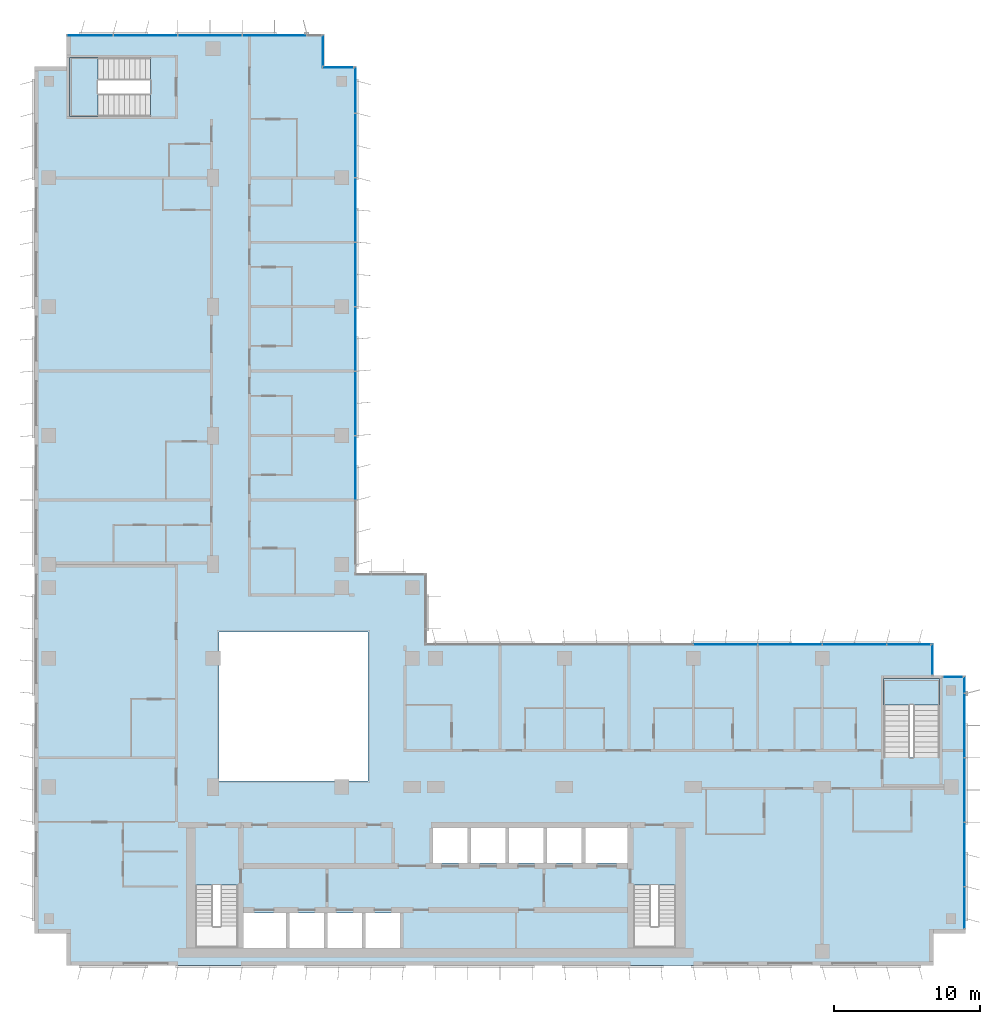
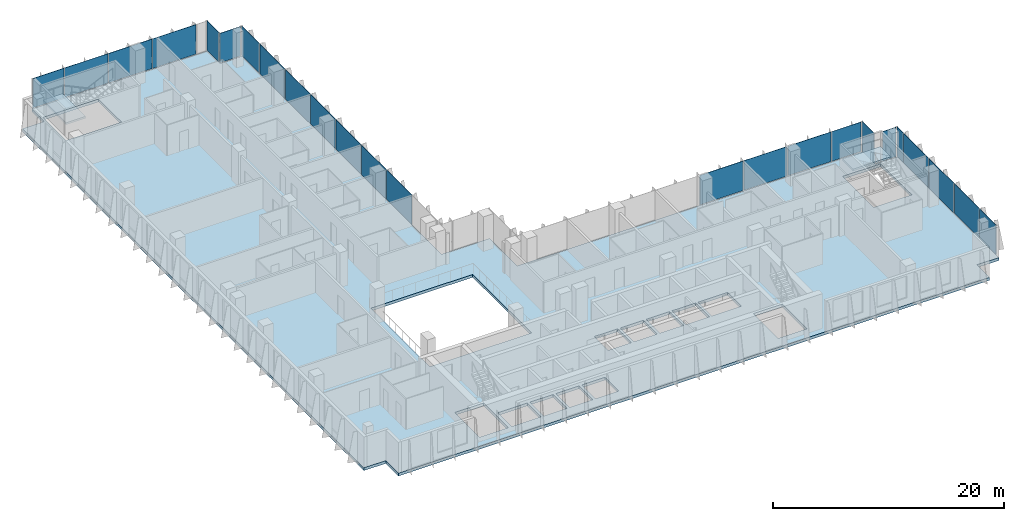
# One storey, part 11 of 21: 24 plates, 3 slabs, 10 elements without a shape of their own.
"""IFC4 building model written with IfcOpenShell, lengths in metres."""

import ifcopenshell
import ifcopenshell.guid

model = None  # the IFC model being written
_history = None  # IfcOwnerHistory: only IFC2X3 demands one
_inside = {}  # id of a spatial element -> (the spatial element, [elements in it])
_under = {}  # id of a project, library or spatial element -> (it, [spatial elements below it])
_declared = {}  # id of a project -> (the project, [libraries it declares])
_typed = {}  # id of a type object -> (the type object, [elements of that type])
_made_of = {}  # id of a material, layer set ... -> (it, [elements and type objects made of it])


def new_model(schema):
    """Start an empty IFC model of exactly this schema.

    Asked for "IFC4X3", IfcOpenShell would pick the latest addendum, in which some entities
    have other attributes; the version numbers below select the first issue.
    IFC2X3 requires an IfcOwnerHistory on every rooted entity: one is made here for all.
    """
    global model, _history
    if schema == "IFC4X3":
        model = ifcopenshell.file(schema_version=(4, 3, 0, 0))
    else:
        model = ifcopenshell.file(schema=schema)
    _inside.clear()
    _under.clear()
    _declared.clear()
    _typed.clear()
    _made_of.clear()
    _history = None
    if model.schema == "IFC2X3":
        org = make("IfcOrganization", Name="unknown")
        user = make(
            "IfcPersonAndOrganization",
            ThePerson=make("IfcPerson", FamilyName="unknown"),
            TheOrganization=org,
        )
        app = make(
            "IfcApplication",
            ApplicationDeveloper=org,
            Version="unknown",
            ApplicationFullName="unknown",
            ApplicationIdentifier="unknown",
        )
        _history = make(
            "IfcOwnerHistory",
            OwningUser=user,
            OwningApplication=app,
            ChangeAction="ADDED",
            CreationDate=0,
        )
    return model


def make(cls, **values):
    """One entity of the class cls with the attributes given. An attribute that is None is left unset."""
    return model.create_entity(
        cls, **{name: value for name, value in values.items() if value is not None}
    )


def rooted(cls, **values):
    """An entity with a GlobalId (a new one), such as an element, a storey or a relation."""
    return make(cls, GlobalId=ifcopenshell.guid.new(), OwnerHistory=_history, **values)


def si_unit(unit_type, name, prefix=None):
    """IfcSIUnit, for example si_unit("LENGTHUNIT", "METRE", prefix="MILLI")."""
    return make("IfcSIUnit", UnitType=unit_type, Prefix=prefix, Name=name)


def assignment(units):
    """IfcUnitAssignment: the units of a project."""
    return None if units is None else make("IfcUnitAssignment", Units=units)


def point(xyz):
    """IfcCartesianPoint."""
    return None if xyz is None else make("IfcCartesianPoint", Coordinates=xyz)


def direction(xyz):
    """IfcDirection."""
    return None if xyz is None else make("IfcDirection", DirectionRatios=xyz)


def frame(location, z_axis=None, x_axis=None):
    """IfcAxis2Placement3D, a coordinate frame: its origin and axes. An axis left out is left unset."""
    return make(
        "IfcAxis2Placement3D",
        Location=point(location),
        Axis=direction(z_axis),
        RefDirection=direction(x_axis),
    )


def frame_2d(location, x_axis=None):
    """IfcAxis2Placement2D, a coordinate frame in the plane: its origin and x axis."""
    return make(
        "IfcAxis2Placement2D", Location=point(location), RefDirection=direction(x_axis)
    )


def origin():
    """The frame at (0, 0, 0) with its axes left unset."""
    return frame((0.0, 0.0, 0.0))


def origin_2d():
    """The frame at (0, 0) in the plane with its x axis left unset."""
    return frame_2d((0.0, 0.0))


def place(relative_to, where):
    """IfcLocalPlacement: puts the frame where relative to a parent placement (None: the world)."""
    return make(
        "IfcLocalPlacement", PlacementRelTo=relative_to, RelativePlacement=where
    )


def context(
    kind, dimensions, precision=None, world=None, true_north=None, identifier=None
):
    """IfcGeometricRepresentationContext, for example the 3D "Model" context."""
    return make(
        "IfcGeometricRepresentationContext",
        ContextIdentifier=identifier,
        ContextType=kind,
        CoordinateSpaceDimension=dimensions,
        Precision=precision,
        WorldCoordinateSystem=world,
        TrueNorth=true_north,
    )


def subcontext(parent, identifier, kind, view, scale=None):
    """IfcGeometricRepresentationSubContext, for example "Body" below "Model"."""
    return make(
        "IfcGeometricRepresentationSubContext",
        ContextIdentifier=identifier,
        ContextType=kind,
        ParentContext=parent,
        TargetScale=scale,
        TargetView=view,
    )


def project(units=None, contexts=None):
    """IfcProject with its units and contexts."""
    return rooted(
        "IfcProject",
        Name="project",
        RepresentationContexts=contexts,
        UnitsInContext=assignment(units),
    )


def spatial(cls, under=None, at=None, **own):
    """A site, building, storey or space (cls), placed at a placement, below another one or the project."""
    s = rooted(cls, ObjectPlacement=at, **own)
    if under is not None:
        _under.setdefault(under.id(), (under, []))[1].append(s)
    return s


def polyline(points):
    """IfcPolyline through the points."""
    return make("IfcPolyline", Points=[point(p) for p in points])


def profile(cls, at=None, kind="AREA", **sizes):
    """A parametric profile (cls). Its sizes go by their IFC names, for example OverallWidth=200.0."""
    return make(cls, ProfileType=kind, Position=at, **sizes)


def rectangle(**sizes):
    """IfcRectangleProfileDef."""
    return profile("IfcRectangleProfileDef", **sizes)


def outline(outer, holes=None, kind="AREA"):
    """IfcArbitraryClosedProfileDef: a profile drawn as a closed curve; with holes, ...WithVoids."""
    if holes is None:
        return make("IfcArbitraryClosedProfileDef", ProfileType=kind, OuterCurve=outer)
    return make(
        "IfcArbitraryProfileDefWithVoids",
        ProfileType=kind,
        OuterCurve=outer,
        InnerCurves=holes,
    )


def extrude(swept, where, along, depth):
    """IfcExtrudedAreaSolid: the profile swept, set in the frame where, extruded along a direction by depth."""
    return make(
        "IfcExtrudedAreaSolid",
        SweptArea=swept,
        Position=where,
        ExtrudedDirection=direction(along),
        Depth=depth,
    )


def shape(context_of_items, identifier, shape_type, items):
    """IfcShapeRepresentation: the items that make up one representation, for example the "Body"."""
    return make(
        "IfcShapeRepresentation",
        ContextOfItems=context_of_items,
        RepresentationIdentifier=identifier,
        RepresentationType=shape_type,
        Items=items,
    )


def source(mapping_origin, context_of_items, identifier, shape_type, items):
    """IfcRepresentationMap: a shape defined once, which mapped items show again and again."""
    return make(
        "IfcRepresentationMap",
        MappingOrigin=mapping_origin,
        MappedRepresentation=shape(context_of_items, identifier, shape_type, items),
    )


def transform(
    local_origin,
    x_axis=None,
    y_axis=None,
    z_axis=None,
    scale=None,
    scale2=None,
    scale3=None,
    uniform=True,
):
    """IfcCartesianTransformationOperator3D, or its non-uniform kind. x_axis, y_axis, z_axis: its Axis1, 2, 3."""
    if uniform:
        return make(
            "IfcCartesianTransformationOperator3D",
            Axis1=direction(x_axis),
            Axis2=direction(y_axis),
            LocalOrigin=point(local_origin),
            Scale=scale,
            Axis3=direction(z_axis),
        )
    return make(
        "IfcCartesianTransformationOperator3DnonUniform",
        Axis1=direction(x_axis),
        Axis2=direction(y_axis),
        LocalOrigin=point(local_origin),
        Scale=scale,
        Axis3=direction(z_axis),
        Scale2=scale2,
        Scale3=scale3,
    )


def mapped(mapping_source, mapping_target):
    """IfcMappedItem: shows the shape of a source again, moved by a transform."""
    return make(
        "IfcMappedItem", MappingSource=mapping_source, MappingTarget=mapping_target
    )


def material(Name=None, Category=None):
    """IfcMaterial."""
    return make("IfcMaterial", Name=Name, Category=Category)


def layer(
    of_material, thickness, ventilated=None, Name=None, Category=None, Priority=None
):
    """IfcMaterialLayer: one layer of a wall or slab, of a material (None: an air gap)."""
    return make(
        "IfcMaterialLayer",
        Material=of_material,
        LayerThickness=thickness,
        IsVentilated=ventilated,
        Name=Name,
        Category=Category,
        Priority=Priority,
    )


def layer_set(layers, Name=None):
    """IfcMaterialLayerSet."""
    return make("IfcMaterialLayerSet", MaterialLayers=layers, LayerSetName=Name)


def made_of(thing, what):
    """Note that an element or type object is made of a material, layer set ...; save() writes the relation."""
    if what is not None:
        _made_of.setdefault(what.id(), (what, []))[1].append(thing)
    return thing


def type_object(cls, material=None, **own):
    """A type object (cls), such as IfcWallType, which elements share."""
    return made_of(rooted(cls, **own), material)


def element(
    cls,
    number,
    at=None,
    inside=None,
    cuts=None,
    type_object=None,
    material=None,
    context=None,
    identifier="Body",
    shape_type=None,
    held_by="IfcProductDefinitionShape",
    body=None,
    shapes=None,
    **own,
):
    """One element of the class cls, such as IfcWall. Its Tag is "e" and its number.

    at: its placement. inside: the storey or other place that contains it. cuts: it is an
    opening in that element (IfcRelVoidsElement). A single representation is given by context,
    identifier, shape_type and body (its items); several are given by shapes. held_by: the class
    of the entity that holds the representations. save() writes the other relations.
    """
    e = rooted(cls, Tag="e%d" % number, ObjectPlacement=at, **own)
    if body is not None:
        shapes = [shape(context, identifier, shape_type, body)]
    if shapes is not None:
        e.Representation = make(held_by, Representations=shapes)
    if inside is not None:
        _inside.setdefault(inside.id(), (inside, []))[1].append(e)
    if cuts is not None:
        rooted(
            "IfcRelVoidsElement", RelatingBuildingElement=cuts, RelatedOpeningElement=e
        )
    if type_object is not None:
        _typed.setdefault(type_object.id(), (type_object, []))[1].append(e)
    return made_of(e, material)


def aggregate(whole, parts):
    """IfcRelAggregates: a whole, such as a stair, and the parts it consists of."""
    return rooted("IfcRelAggregates", RelatingObject=whole, RelatedObjects=parts)


def save(model, path):
    """Write the relations noted so far, then the file.

    IfcRelAggregates (storeys below a building ...), IfcRelContainedInSpatialStructure (elements
    in a storey), IfcRelDefinesByType, IfcRelAssociatesMaterial and IfcRelDeclares: one each for
    every whole, place, type object, material and project.
    """
    for whole, parts in _under.values():
        aggregate(whole, parts)
    for where, things in _inside.values():
        rooted(
            "IfcRelContainedInSpatialStructure",
            RelatedElements=things,
            RelatingStructure=where,
        )
    for kind, things in _typed.values():
        rooted("IfcRelDefinesByType", RelatedObjects=things, RelatingType=kind)
    for what, things in _made_of.values():
        rooted("IfcRelAssociatesMaterial", RelatedObjects=things, RelatingMaterial=what)
    for by, libraries in _declared.values():
        rooted("IfcRelDeclares", RelatingContext=by, RelatedDefinitions=libraries)
    model.write(path)


model = new_model("IFC4")

# Units and contexts
model_context = context("Model", 3, precision=1e-05, world=origin(), true_north=direction((0.0, 1.0)))
body_context = subcontext(model_context, "Body", "Model", "MODEL_VIEW")
ifc_project = project(units=[si_unit("LENGTHUNIT", "METRE"), si_unit("AREAUNIT", "SQUARE_METRE"), si_unit("VOLUMEUNIT", "CUBIC_METRE"), si_unit("PLANEANGLEUNIT", "RADIAN"), si_unit("MASSUNIT", "GRAM", prefix="KILO")], contexts=[model_context])

# Site, building, storey
site_placement = place(None, origin())
site = spatial("IfcSite", under=ifc_project, at=site_placement, CompositionType="ELEMENT")
building_placement = place(site_placement, origin())
building = spatial("IfcBuilding", under=site, at=building_placement, Name="Kemantara Hotel Tower", CompositionType="ELEMENT")
storey_placement = place(building_placement, frame((0.0, 0.0, 219.10009765625)))
storey = spatial("IfcBuildingStorey", under=building, at=storey_placement, Name="L54", CompositionType="ELEMENT", Elevation=219.10009765625)

# Slab
ifc_material_1 = material(Name="Concrete fc 40 MPa", Category="concrete")
ifc_layer_1 = layer(ifc_material_1, 0.300048828125)
ifc_layer_set_1 = layer_set([ifc_layer_1], Name="Concrete fc 40 MPa")
slab_type_1 = type_object("IfcSlabType", Name="POST-TENSIONED FLAT PLATE 300", PredefinedType="FLOOR", material=ifc_layer_set_1)
slab_1_placement = place(storey_placement, frame((0.0, 0.0, -0.300048828125)))
element("IfcSlab", 1, at=slab_1_placement, inside=storey, type_object=slab_type_1, Name="FLOOR SLAB L54", PredefinedType="FLOOR", context=body_context, shape_type="SweptSolid", body=[
    extrude(outline(polyline([(22.0, 26.800048828125), (22.0, 61.39990234375), (19.800048828125, 61.39990234375), (19.800048828125, 63.60009765625), (2.199951171875, 63.60009765625), (2.199951171875, 61.39990234375), (0.0, 61.39990234375), (0.0, 2.199951171875), (2.199951171875, 2.199951171875), (2.199951171875, 0.0), (61.39990234375, 0.0), (61.39990234375, 2.199951171875), (63.60009765625, 2.199951171875), (63.60009765625, 19.800048828125), (61.39990234375, 19.800048828125), (61.39990234375, 22.0), (26.800048828125, 22.0), (26.800048828125, 26.800048828125), (22.0, 26.800048828125)]), holes=[polyline([(17.175048828125, 3.60009765625), (17.175048828125, 1.199951171875), (14.22509765625, 1.199951171875), (14.22509765625, 3.60009765625), (17.175048828125, 3.60009765625)]), polyline([(19.77490234375, 1.199951171875), (17.425048828125, 1.199951171875), (17.425048828125, 3.60009765625), (19.77490234375, 3.60009765625), (19.77490234375, 1.199951171875)]), polyline([(22.375, 1.199951171875), (20.02490234375, 1.199951171875), (20.02490234375, 3.60009765625), (22.375, 3.60009765625), (22.375, 1.199951171875)]), polyline([(24.97509765625, 1.199951171875), (22.625, 1.199951171875), (22.625, 3.60009765625), (24.97509765625, 3.60009765625), (24.97509765625, 1.199951171875)]), polyline([(11.0, 1.199951171875), (11.0, 5.49951171875), (13.89990234375, 5.49951171875), (13.89990234375, 1.199951171875), (11.0, 1.199951171875)]), polyline([(22.800048828125, 12.60009765625), (12.60009765625, 12.60009765625), (12.60009765625, 22.800048828125), (22.800048828125, 22.800048828125), (22.800048828125, 12.60009765625)]), polyline([(2.39990234375, 62.0), (7.949462890625, 62.0), (7.949462890625, 58.0), (2.39990234375, 58.0), (2.39990234375, 62.0)]), polyline([(43.800048828125, 1.199951171875), (40.89990234375, 1.199951171875), (40.89990234375, 5.49951171875), (43.800048828125, 5.49951171875), (43.800048828125, 1.199951171875)]), polyline([(29.574951171875, 7.0), (27.22509765625, 7.0), (27.22509765625, 9.39990234375), (29.574951171875, 9.39990234375), (29.574951171875, 7.0)]), polyline([(32.175048828125, 7.0), (29.824951171875, 7.0), (29.824951171875, 9.39990234375), (32.175048828125, 9.39990234375), (32.175048828125, 7.0)]), polyline([(34.77490234375, 7.0), (32.425048828125, 7.0), (32.425048828125, 9.39990234375), (34.77490234375, 9.39990234375), (34.77490234375, 7.0)]), polyline([(37.375, 7.0), (35.02490234375, 7.0), (35.02490234375, 9.39990234375), (37.375, 9.39990234375), (37.375, 7.0)]), polyline([(40.574951171875, 7.0), (37.625, 7.0), (37.625, 9.39990234375), (40.574951171875, 9.39990234375), (40.574951171875, 7.0)]), polyline([(61.800048828125, 19.60009765625), (61.800048828125, 14.20068359375), (58.0, 14.20068359375), (58.0, 19.60009765625), (61.800048828125, 19.60009765625)])]), origin(), (0.0, 0.0, 1.0), 0.300048828125),
])

# Stair, slab
stair_type_1 = type_object("IfcStairType", Name="Stair 1800 wide 22 risers of 168 x 360 mm", PredefinedType="HALF_TURN_STAIR", material=ifc_material_1)
stair_1_placement = place(storey_placement, origin())
stair_1 = element("IfcStair", 2, at=stair_1_placement, inside=storey, type_object=stair_type_1, Name="L54 Exit stair ST3", PredefinedType="HALF_TURN_STAIR")
ifc_layer_2 = layer(ifc_material_1, 0.199951171875)
ifc_layer_set_2 = layer_set([ifc_layer_2], Name="Concrete fc 40 MPa")
slab_type_2 = type_object("IfcSlabType", Name="Stair landing 200 mm", PredefinedType="LANDING", material=ifc_layer_set_2)
slab_2_placement = place(storey_placement, frame((0.0, 0.0, 1.64990234375)))
slab_2 = element("IfcSlab", 3, at=slab_2_placement, type_object=slab_type_2, Name="ST3 landing 1", PredefinedType="LANDING", context=body_context, shape_type="SweptSolid", body=[
    extrude(outline(polyline([(61.800048828125, 17.800048828125), (61.800048828125, 19.60009765625), (58.0, 19.60009765625), (58.0, 17.800048828125), (61.800048828125, 17.800048828125)])), origin(), (0.0, 0.0, 1.0), 0.199951171875),
])
aggregate(stair_1, [slab_2])

stair_type_2 = type_object("IfcStairType", Name="Stair 1550 wide 22 risers of 168 x 360 mm", PredefinedType="HALF_TURN_STAIR", material=ifc_material_1)
stair_2_placement = place(storey_placement, origin())
stair_2 = element("IfcStair", 4, at=stair_2_placement, inside=storey, type_object=stair_type_2, Name="L54 Exit stair ST4", PredefinedType="HALF_TURN_STAIR")
slab_3_placement = place(storey_placement, frame((0.0, 0.0, 1.64990234375)))
slab_3 = element("IfcSlab", 5, at=slab_3_placement, type_object=slab_type_2, Name="ST4 landing 1", PredefinedType="LANDING", context=body_context, shape_type="SweptSolid", body=[
    extrude(outline(polyline([(4.35009765625, 62.0), (2.39990234375, 62.0), (2.39990234375, 58.0), (4.35009765625, 58.0), (4.35009765625, 62.0)])), origin(), (0.0, 0.0, 1.0), 0.199951171875),
])
aggregate(stair_2, [slab_3])

# Curtain wall, plate
ifc_material_2 = material(Name="Low-E tinted double insulated glass 36 mm", Category="glass")
curtain_wall_type = type_object("IfcCurtainWallType", Name="TOWER CURTAIN WALL, FRONT FACES", PredefinedType="USERDEFINED", material=ifc_material_2)
curtain_wall_1_placement = place(storey_placement, origin())
curtain_wall_1 = element("IfcCurtainWall", 6, at=curtain_wall_1_placement, inside=storey, type_object=curtain_wall_type, Name="CW4 L54 T3-R11-1", ObjectType="TOWER CURTAIN WALL, FRONT FACES", PredefinedType="USERDEFINED")
ifc_layer_3 = layer(ifc_material_2, 0.035888671875)
ifc_layer_set_3 = layer_set([ifc_layer_3], Name="Low-E tinted double insulated glass 36 mm")
plate_type = type_object("IfcPlateType", Name="TOWER CURTAIN WALL, FRONT FACES PANEL", PredefinedType="CURTAIN_PANEL", material=ifc_layer_set_3)
shared_shape_1 = source(origin(), body_context, "Body", "SweptSolid", [
    extrude(rectangle(XDim=2.81005859375, YDim=0.035888671875, at=origin_2d()), origin(), (0.0, 0.0, 1.0), 3.1298828125),
])
plate_1_placement = place(storey_placement, frame((63.52490234375, 3.965087890625, 0.119873046875), z_axis=(0.0, 0.0, 1.0), x_axis=(0.0, 1.0, 0.0)))
plate_1 = element("IfcPlate", 7, at=plate_1_placement, type_object=plate_type, Name="CW4 glass panel T3-R11-1.1", PredefinedType="CURTAIN_PANEL", context=body_context, shape_type="MappedRepresentation", body=[
    mapped(shared_shape_1, transform((0.0, 0.0, 0.0))),
])

# Curtain wall, plates
curtain_wall_2_placement = place(storey_placement, origin())
curtain_wall_2 = element("IfcCurtainWall", 8, at=curtain_wall_2_placement, inside=storey, type_object=curtain_wall_type, Name="CW4 L54 T3-R02-1", ObjectType="TOWER CURTAIN WALL, FRONT FACES", PredefinedType="USERDEFINED")
shared_shape_2 = source(origin(), body_context, "Body", "SweptSolid", [
    extrude(rectangle(XDim=4.340087890625, YDim=0.035888671875, at=origin_2d()), origin(), (0.0, 0.0, 1.0), 3.1298828125),
])
plate_2_placement = place(storey_placement, frame((16.39990234375, 63.52490234375, 0.119873046875), z_axis=(0.0, 0.0, 1.0), x_axis=(-1.0, 0.0, 0.0)))
plate_2 = element("IfcPlate", 9, at=plate_2_placement, type_object=plate_type, Name="CW4 glass panel T3-R02-1.2", PredefinedType="CURTAIN_PANEL", context=body_context, shape_type="MappedRepresentation", body=[
    mapped(shared_shape_2, transform((0.0, 0.0, 0.0))),
])
plate_3_placement = place(storey_placement, frame((12.0, 63.52490234375, 0.119873046875), z_axis=(0.0, 0.0, 1.0), x_axis=(-1.0, 0.0, 0.0)))
plate_3 = element("IfcPlate", 10, at=plate_3_placement, type_object=plate_type, Name="CW4 glass panel T3-R02-1.3", PredefinedType="CURTAIN_PANEL", context=body_context, shape_type="MappedRepresentation", body=[
    mapped(shared_shape_2, transform((0.0, 0.0, 0.0))),
])
plate_4_placement = place(storey_placement, frame((7.60009765625, 63.52490234375, 0.119873046875), z_axis=(0.0, 0.0, 1.0), x_axis=(-1.0, 0.0, 0.0)))
plate_4 = element("IfcPlate", 11, at=plate_4_placement, type_object=plate_type, Name="CW4 glass panel T3-R02-1.4", PredefinedType="CURTAIN_PANEL", context=body_context, shape_type="MappedRepresentation", body=[
    mapped(shared_shape_2, transform((0.0, 0.0, 0.0))),
])

# Plate
plate_5_placement = place(storey_placement, frame((63.52490234375, 7.60009765625, 0.119873046875), z_axis=(0.0, 0.0, 1.0), x_axis=(0.0, 1.0, 0.0)))
plate_5 = element("IfcPlate", 12, at=plate_5_placement, type_object=plate_type, Name="CW4 glass panel T3-R11-1.2", PredefinedType="CURTAIN_PANEL", context=body_context, shape_type="MappedRepresentation", body=[
    mapped(shared_shape_2, transform((0.0, 0.0, 0.0))),
])

plate_6_placement = place(storey_placement, frame((63.52490234375, 12.0, 0.119873046875), z_axis=(0.0, 0.0, 1.0), x_axis=(0.0, 1.0, 0.0)))
plate_6 = element("IfcPlate", 13, at=plate_6_placement, type_object=plate_type, Name="CW4 glass panel T3-R11-1.3", PredefinedType="CURTAIN_PANEL", context=body_context, shape_type="MappedRepresentation", body=[
    mapped(shared_shape_2, transform((0.0, 0.0, 0.0))),
])

plate_7_placement = place(storey_placement, frame((63.52490234375, 16.39990234375, 0.119873046875), z_axis=(0.0, 0.0, 1.0), x_axis=(0.0, 1.0, 0.0)))
plate_7 = element("IfcPlate", 14, at=plate_7_placement, type_object=plate_type, Name="CW4 glass panel T3-R11-1.4", PredefinedType="CURTAIN_PANEL", context=body_context, shape_type="MappedRepresentation", body=[
    mapped(shared_shape_2, transform((0.0, 0.0, 0.0))),
])

# Curtain wall, plates
curtain_wall_3_placement = place(storey_placement, origin())
curtain_wall_3 = element("IfcCurtainWall", 15, at=curtain_wall_3_placement, inside=storey, type_object=curtain_wall_type, Name="CW4 L54 T3-R14-1", ObjectType="TOWER CURTAIN WALL, FRONT FACES", PredefinedType="USERDEFINED")
plate_8_placement = place(storey_placement, frame((56.0, 21.925048828125, 0.119873046875), z_axis=(0.0, 0.0, 1.0), x_axis=(-1.0, 0.0, 0.0)))
plate_8 = element("IfcPlate", 16, at=plate_8_placement, type_object=plate_type, Name="CW4 glass panel T3-R14-1.2", PredefinedType="CURTAIN_PANEL", context=body_context, shape_type="MappedRepresentation", body=[
    mapped(shared_shape_2, transform((0.0, 0.0, 0.0))),
])
plate_9_placement = place(storey_placement, frame((51.60009765625, 21.925048828125, 0.119873046875), z_axis=(0.0, 0.0, 1.0), x_axis=(-1.0, 0.0, 0.0)))
plate_9 = element("IfcPlate", 17, at=plate_9_placement, type_object=plate_type, Name="CW4 glass panel T3-R14-1.3", PredefinedType="CURTAIN_PANEL", context=body_context, shape_type="MappedRepresentation", body=[
    mapped(shared_shape_2, transform((0.0, 0.0, 0.0))),
])
plate_10_placement = place(storey_placement, frame((47.199951171875, 21.925048828125, 0.119873046875), z_axis=(0.0, 0.0, 1.0), x_axis=(-1.0, 0.0, 0.0)))
plate_10 = element("IfcPlate", 18, at=plate_10_placement, type_object=plate_type, Name="CW4 glass panel T3-R14-1.4", PredefinedType="CURTAIN_PANEL", context=body_context, shape_type="MappedRepresentation", body=[
    mapped(shared_shape_2, transform((0.0, 0.0, 0.0))),
])

curtain_wall_4_placement = place(storey_placement, origin())
curtain_wall_4 = element("IfcCurtainWall", 19, at=curtain_wall_4_placement, inside=storey, type_object=curtain_wall_type, Name="CW4 L54 T3-R17-1", ObjectType="TOWER CURTAIN WALL, FRONT FACES", PredefinedType="USERDEFINED")
plate_11_placement = place(storey_placement, frame((21.925048828125, 34.0, 0.119873046875), z_axis=(0.0, 0.0, 1.0), x_axis=(0.0, 1.0, 0.0)))
plate_11 = element("IfcPlate", 20, at=plate_11_placement, type_object=plate_type, Name="CW4 glass panel T3-R17-1.3", PredefinedType="CURTAIN_PANEL", context=body_context, shape_type="MappedRepresentation", body=[
    mapped(shared_shape_2, transform((0.0, 0.0, 0.0))),
])
plate_12_placement = place(storey_placement, frame((21.925048828125, 38.39990234375, 0.119873046875), z_axis=(0.0, 0.0, 1.0), x_axis=(0.0, 1.0, 0.0)))
plate_12 = element("IfcPlate", 21, at=plate_12_placement, type_object=plate_type, Name="CW4 glass panel T3-R17-1.4", PredefinedType="CURTAIN_PANEL", context=body_context, shape_type="MappedRepresentation", body=[
    mapped(shared_shape_2, transform((0.0, 0.0, 0.0))),
])
plate_13_placement = place(storey_placement, frame((21.925048828125, 42.800048828125, 0.119873046875), z_axis=(0.0, 0.0, 1.0), x_axis=(0.0, 1.0, 0.0)))
plate_13 = element("IfcPlate", 22, at=plate_13_placement, type_object=plate_type, Name="CW4 glass panel T3-R17-1.5", PredefinedType="CURTAIN_PANEL", context=body_context, shape_type="MappedRepresentation", body=[
    mapped(shared_shape_2, transform((0.0, 0.0, 0.0))),
])
plate_14_placement = place(storey_placement, frame((21.925048828125, 47.199951171875, 0.119873046875), z_axis=(0.0, 0.0, 1.0), x_axis=(0.0, 1.0, 0.0)))
plate_14 = element("IfcPlate", 23, at=plate_14_placement, type_object=plate_type, Name="CW4 glass panel T3-R17-1.6", PredefinedType="CURTAIN_PANEL", context=body_context, shape_type="MappedRepresentation", body=[
    mapped(shared_shape_2, transform((0.0, 0.0, 0.0))),
])
plate_15_placement = place(storey_placement, frame((21.925048828125, 51.60009765625, 0.119873046875), z_axis=(0.0, 0.0, 1.0), x_axis=(0.0, 1.0, 0.0)))
plate_15 = element("IfcPlate", 24, at=plate_15_placement, type_object=plate_type, Name="CW4 glass panel T3-R17-1.7", PredefinedType="CURTAIN_PANEL", context=body_context, shape_type="MappedRepresentation", body=[
    mapped(shared_shape_2, transform((0.0, 0.0, 0.0))),
])
plate_16_placement = place(storey_placement, frame((21.925048828125, 56.0, 0.119873046875), z_axis=(0.0, 0.0, 1.0), x_axis=(0.0, 1.0, 0.0)))
plate_16 = element("IfcPlate", 25, at=plate_16_placement, type_object=plate_type, Name="CW4 glass panel T3-R17-1.8", PredefinedType="CURTAIN_PANEL", context=body_context, shape_type="MappedRepresentation", body=[
    mapped(shared_shape_2, transform((0.0, 0.0, 0.0))),
])

# Plate
shared_shape_3 = source(origin(), body_context, "Body", "SweptSolid", [
    extrude(rectangle(XDim=2.9599609375, YDim=0.035888671875, at=origin_2d()), origin(), (0.0, 0.0, 1.0), 3.1298828125),
])
plate_17_placement = place(storey_placement, frame((59.7099609375, 21.925048828125, 0.119873046875), z_axis=(0.0, 0.0, 1.0), x_axis=(-1.0, 0.0, 0.0)))
plate_17 = element("IfcPlate", 26, at=plate_17_placement, type_object=plate_type, Name="CW4 glass panel T3-R14-1.1", PredefinedType="CURTAIN_PANEL", context=body_context, shape_type="MappedRepresentation", body=[
    mapped(shared_shape_3, transform((0.0, 0.0, 0.0))),
])

aggregate(curtain_wall_3, [plate_17, plate_8, plate_9, plate_10])

shared_shape_4 = source(origin(), body_context, "Body", "SweptSolid", [
    extrude(rectangle(XDim=3.110107421875, YDim=0.035888671875, at=origin_2d()), origin(), (0.0, 0.0, 1.0), 3.1298828125),
])
plate_18_placement = place(storey_placement, frame((3.81494140625, 63.52490234375, 0.119873046875), z_axis=(0.0, 0.0, 1.0), x_axis=(-1.0, 0.0, 0.0)))
plate_18 = element("IfcPlate", 27, at=plate_18_placement, type_object=plate_type, Name="CW4 glass panel T3-R02-1.5", PredefinedType="CURTAIN_PANEL", context=body_context, shape_type="MappedRepresentation", body=[
    mapped(shared_shape_4, transform((0.0, 0.0, 0.0))),
])

aggregate(curtain_wall_2, [plate_2, plate_3, plate_4, plate_18])

plate_19_placement = place(storey_placement, frame((21.925048828125, 59.784912109375, 0.119873046875), z_axis=(0.0, 0.0, 1.0), x_axis=(0.0, 1.0, 0.0)))
plate_19 = element("IfcPlate", 28, at=plate_19_placement, type_object=plate_type, Name="CW4 glass panel T3-R17-1.9", PredefinedType="CURTAIN_PANEL", context=body_context, shape_type="MappedRepresentation", body=[
    mapped(shared_shape_4, transform((0.0, 0.0, 0.0))),
])

aggregate(curtain_wall_4, [plate_11, plate_12, plate_13, plate_14, plate_15, plate_16, plate_19])

# Curtain wall, plate
curtain_wall_5_placement = place(storey_placement, origin())
curtain_wall_5 = element("IfcCurtainWall", 29, at=curtain_wall_5_placement, inside=storey, type_object=curtain_wall_type, Name="CW4 L54 T3-R00-1", ObjectType="TOWER CURTAIN WALL, FRONT FACES", PredefinedType="USERDEFINED")
shared_shape_5 = source(origin(), body_context, "Body", "SweptSolid", [
    extrude(rectangle(XDim=2.080078125, YDim=0.035888671875, at=origin_2d()), origin(), (0.0, 0.0, 1.0), 3.1298828125),
])
plate_20_placement = place(storey_placement, frame((20.75, 61.324951171875, 0.119873046875), z_axis=(0.0, 0.0, 1.0), x_axis=(-1.0, 0.0, 0.0)))
plate_20 = element("IfcPlate", 30, at=plate_20_placement, type_object=plate_type, Name="CW4 glass panel T3-R00-1.1", PredefinedType="CURTAIN_PANEL", context=body_context, shape_type="MappedRepresentation", body=[
    mapped(shared_shape_5, transform((0.0, 0.0, 0.0))),
])
aggregate(curtain_wall_5, [plate_20])

curtain_wall_6_placement = place(storey_placement, origin())
curtain_wall_6 = element("IfcCurtainWall", 31, at=curtain_wall_6_placement, inside=storey, type_object=curtain_wall_type, Name="CW4 L54 T3-R01-1", ObjectType="TOWER CURTAIN WALL, FRONT FACES", PredefinedType="USERDEFINED")
plate_21_placement = place(storey_placement, frame((19.72509765625, 62.5, 0.119873046875), z_axis=(0.0, 0.0, 1.0), x_axis=(0.0, 1.0, 0.0)))
plate_21 = element("IfcPlate", 32, at=plate_21_placement, type_object=plate_type, Name="CW4 glass panel T3-R01-1.1", PredefinedType="CURTAIN_PANEL", context=body_context, shape_type="MappedRepresentation", body=[
    mapped(shared_shape_5, transform((0.0, 0.0, 0.0))),
])
aggregate(curtain_wall_6, [plate_21])

curtain_wall_7_placement = place(storey_placement, origin())
curtain_wall_7 = element("IfcCurtainWall", 33, at=curtain_wall_7_placement, inside=storey, type_object=curtain_wall_type, Name="CW4 L54 T3-R13-1", ObjectType="TOWER CURTAIN WALL, FRONT FACES", PredefinedType="USERDEFINED")
plate_22_placement = place(storey_placement, frame((61.324951171875, 20.89990234375, 0.119873046875), z_axis=(0.0, 0.0, 1.0), x_axis=(0.0, 1.0, 0.0)))
plate_22 = element("IfcPlate", 34, at=plate_22_placement, type_object=plate_type, Name="CW4 glass panel T3-R13-1.1", PredefinedType="CURTAIN_PANEL", context=body_context, shape_type="MappedRepresentation", body=[
    mapped(shared_shape_5, transform((0.0, 0.0, 0.0))),
])
aggregate(curtain_wall_7, [plate_22])

# Plate
shared_shape_6 = source(origin(), body_context, "Body", "SweptSolid", [
    extrude(rectangle(XDim=1.110107421875, YDim=0.035888671875, at=origin_2d()), origin(), (0.0, 0.0, 1.0), 3.1298828125),
])
plate_23_placement = place(storey_placement, frame((63.52490234375, 19.18505859375, 0.119873046875), z_axis=(0.0, 0.0, 1.0), x_axis=(0.0, 1.0, 0.0)))
plate_23 = element("IfcPlate", 35, at=plate_23_placement, type_object=plate_type, Name="CW4 glass panel T3-R11-1.5", PredefinedType="CURTAIN_PANEL", context=body_context, shape_type="MappedRepresentation", body=[
    mapped(shared_shape_6, transform((0.0, 0.0, 0.0))),
])

aggregate(curtain_wall_1, [plate_1, plate_5, plate_6, plate_7, plate_23])

# Curtain wall, plate
curtain_wall_8_placement = place(storey_placement, origin())
curtain_wall_8 = element("IfcCurtainWall", 36, at=curtain_wall_8_placement, inside=storey, type_object=curtain_wall_type, Name="CW4 L54 T3-R12-1", ObjectType="TOWER CURTAIN WALL, FRONT FACES", PredefinedType="USERDEFINED")
shared_shape_7 = source(origin(), body_context, "Body", "SweptSolid", [
    extrude(rectangle(XDim=1.330078125, YDim=0.035888671875, at=origin_2d()), origin(), (0.0, 0.0, 1.0), 3.1298828125),
])
plate_24_placement = place(storey_placement, frame((62.72509765625, 19.72509765625, 0.119873046875), z_axis=(0.0, 0.0, 1.0), x_axis=(-1.0, 0.0, 0.0)))
plate_24 = element("IfcPlate", 37, at=plate_24_placement, type_object=plate_type, Name="CW4 glass panel T3-R12-1.1", PredefinedType="CURTAIN_PANEL", context=body_context, shape_type="MappedRepresentation", body=[
    mapped(shared_shape_7, transform((0.0, 0.0, 0.0))),
])
aggregate(curtain_wall_8, [plate_24])

save(model, "model.ifc")
